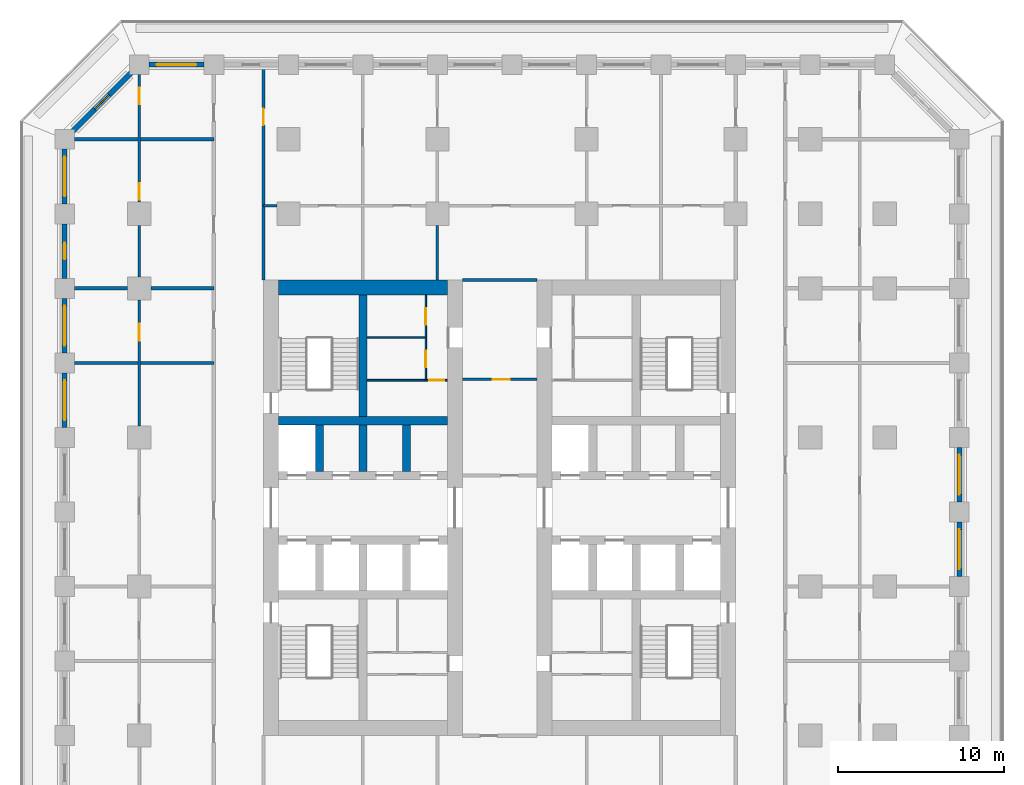
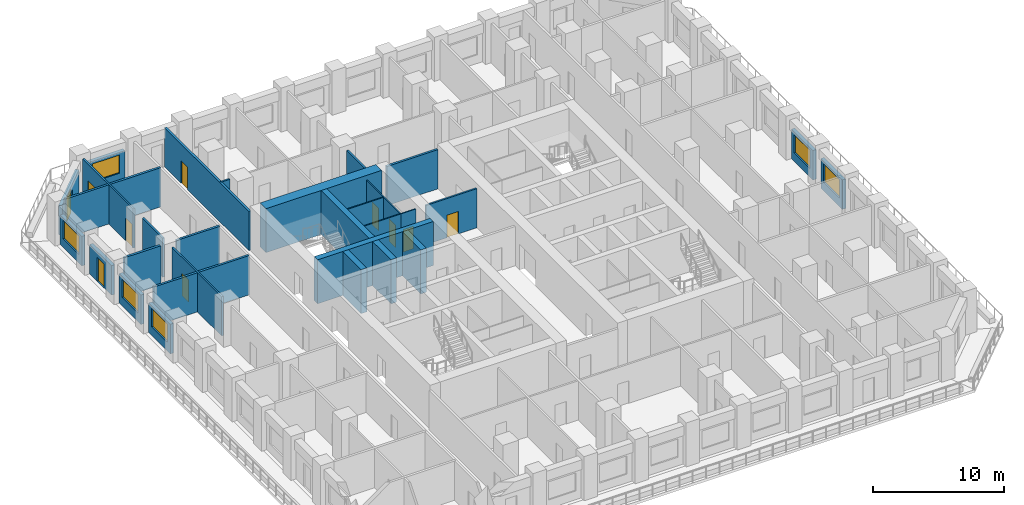
# One storey, part 7 of 18: 31 walls, 10 doors, 6 windows, 16 openings.
"""IFC4 building model written with IfcOpenShell, lengths in metres."""

from ifc_helpers import new_model, si_unit, direction, frame, frame_2d, origin, place, context, subcontext, project, spatial, rectangle, extrude, material, layer, layer_set, type_object, element, fill, save


model = new_model("IFC4")

# Units and contexts
model_context = context("Model", 3, precision=1e-05, world=origin(), true_north=direction((0.0, 1.0)))
body_context = subcontext(model_context, "Body", "Model", "MODEL_VIEW")
ifc_project = project(units=[si_unit("LENGTHUNIT", "METRE"), si_unit("AREAUNIT", "SQUARE_METRE"), si_unit("VOLUMEUNIT", "CUBIC_METRE"), si_unit("PLANEANGLEUNIT", "RADIAN"), si_unit("MASSUNIT", "GRAM", prefix="KILO")], contexts=[model_context])

# Site, building, storey
site_placement = place(None, origin())
site = spatial("IfcSite", under=ifc_project, at=site_placement, CompositionType="ELEMENT")
building_placement = place(site_placement, origin())
building = spatial("IfcBuilding", under=site, at=building_placement, Name="Corbel Stack Research Tower", CompositionType="ELEMENT")
storey_placement = place(building_placement, frame((0.0, 0.0, 102.5)))
storey = spatial("IfcBuildingStorey", under=building, at=storey_placement, Name="L23", CompositionType="ELEMENT", Elevation=102.5)

# Walls
ifc_material_1 = material(Name="Concrete C70/85", Category="concrete")
ifc_layer_1 = layer(ifc_material_1, 0.5)
ifc_layer_set_1 = layer_set([ifc_layer_1], Name="Concrete C70/85")
wall_type_1 = type_object("IfcWallType", Name="CW-500-70", PredefinedType="SHEAR", material=ifc_layer_set_1)
wall_1_placement = place(storey_placement, frame((-9.60009765625, 10.0, 0.0), z_axis=(0.0, 0.0, 1.0), x_axis=(1.0, 0.0, 0.0)))
element("IfcWall", 1, at=wall_1_placement, inside=storey, type_object=wall_type_1, Name="West core wall, north row back L23", PredefinedType="SHEAR", context=body_context, shape_type="SweptSolid", body=[
    extrude(rectangle(XDim=10.2001953125, YDim=0.5, at=frame_2d((5.10009765625, 0.0))), origin(), (0.0, 0.0, 1.0), 4.10009765625),
])
for number, where, z_axis, x_axis, name in (
    (2, (-7.125, 6.949951171875, 0.0), (0.0, 0.0, 1.0), (0.0, 1.0, 0.0), "West core wall, north shaft 1 L23"),
    (3, (-4.5, 6.949951171875, 0.0), (0.0, 0.0, 1.0), (0.0, 1.0, 0.0), "West core wall, north shaft 2 L23"),
    (4, (-1.875, 6.949951171875, 0.0), (0.0, 0.0, 1.0), (0.0, 1.0, 0.0), "West core wall, north shaft 3 L23"),
):
    element("IfcWall", number, at=place(storey_placement, frame(where, z_axis=z_axis, x_axis=x_axis)), inside=storey, type_object=wall_type_1, Name=name, PredefinedType="SHEAR", context=body_context, shape_type="SweptSolid", body=[
        extrude(rectangle(XDim=2.800048828125, YDim=0.5, at=frame_2d((1.39990234375, 0.0))), origin(), (0.0, 0.0, 1.0), 4.10009765625),
    ])
wall_2_placement = place(storey_placement, frame((-4.5, 10.25, 0.0), z_axis=(0.0, 0.0, 1.0), x_axis=(0.0, 1.0, 0.0)))
element("IfcWall", 5, at=wall_2_placement, inside=storey, type_object=wall_type_1, Name="West core wall, north stair and riser L23", PredefinedType="SHEAR", context=body_context, shape_type="SweptSolid", body=[
    extrude(rectangle(XDim=7.35009765625, YDim=0.5, at=frame_2d((3.675048828125, 0.0))), origin(), (0.0, 0.0, 1.0), 4.10009765625),
])
ifc_material_2 = material(Name="Concrete C70/85", Category="concrete")
ifc_layer_2 = layer(ifc_material_2, 0.89990234375)
ifc_layer_set_2 = layer_set([ifc_layer_2], Name="Concrete C70/85")
wall_type_2 = type_object("IfcWallType", Name="CW-900-70", PredefinedType="SHEAR", material=ifc_layer_set_2)
wall_3_placement = place(storey_placement, frame((-9.60009765625, 18.050048828125, 0.0), z_axis=(0.0, 0.0, 1.0), x_axis=(1.0, 0.0, 0.0)))
element("IfcWall", 6, at=wall_3_placement, inside=storey, type_object=wall_type_2, Name="West core wall, north end L23", PredefinedType="SHEAR", context=body_context, shape_type="SweptSolid", body=[
    extrude(rectangle(XDim=10.2001953125, YDim=0.89990234375, at=frame_2d((5.10009765625, 0.0))), origin(), (0.0, 0.0, 1.0), 4.10009765625),
])

# Wall, opening, door
ifc_material_3 = material(Name="Gypsum board")
ifc_layer_3 = layer(ifc_material_3, 0.10009765625)
ifc_layer_set_3 = layer_set([ifc_layer_3], Name="Gypsum board")
wall_type_3 = type_object("IfcWallType", Name="Core partition 100", PredefinedType="PARTITIONING", material=ifc_layer_set_3)
wall_4_placement = place(storey_placement, frame((-0.699951171875, 12.455078125, 0.0), z_axis=(0.0, 0.0, 1.0), x_axis=(1.0, 0.0, 0.0)))
wall_4 = element("IfcWall", 7, at=wall_4_placement, inside=storey, type_object=wall_type_3, Name="Core partition W", PredefinedType="PARTITIONING", context=body_context, shape_type="SweptSolid", body=[
    extrude(rectangle(XDim=1.300048828125, YDim=0.10009765625, at=frame_2d((0.64990234375, 0.0))), origin(), (0.0, 0.0, 1.0), 3.64990234375),
])
opening_1_placement = place(wall_4_placement, frame((0.199951171875, 0.0, 0.0)))
opening_1 = element("IfcOpeningElement", 8, at=opening_1_placement, cuts=wall_4, Name="Opening CR-W24-R1-900", PredefinedType="OPENING", context=body_context, shape_type="SweptSolid", body=[
    extrude(rectangle(XDim=0.89990234375, YDim=2.10009765625, at=frame_2d((0.449951171875, 1.050048828125))), frame((0.0, 0.06005859375, 0.0), z_axis=(0.0, -1.0, 0.0), x_axis=(1.0, 0.0, 0.0)), (0.0, 0.0, 1.0), 0.1201171875),
])
ifc_material_4 = material(Name="Painted steel door", Category="steel")
door_type_1 = type_object("IfcDoorType", Name="Riser door 900 x 2100 FD60 left hand", OperationType="SINGLE_SWING_LEFT", PredefinedType="DOOR", material=ifc_material_4)
door_1_placement = place(opening_1_placement, origin())
door_1 = element("IfcDoor", 9, at=door_1_placement, inside=storey, type_object=door_type_1, Name="Electrical riser door W core", OperationType="SINGLE_SWING_LEFT", OverallHeight=2.10009765625, OverallWidth=0.89990234375, PredefinedType="DOOR", context=body_context, shape_type="SweptSolid", body=[
    extrude(rectangle(XDim=0.89990234375, YDim=2.10009765625, at=frame_2d((0.449951171875, 1.050048828125))), frame((0.0, 0.02490234375, 0.0), z_axis=(0.0, -1.0, 0.0), x_axis=(1.0, 0.0, 0.0)), (0.0, 0.0, 1.0), 0.050048828125),
])
fill(opening_1, door_1)

# Wall
wall_5_placement = place(storey_placement, frame((-4.25, 12.455078125, 0.0), z_axis=(0.0, 0.0, 1.0), x_axis=(1.0, 0.0, 0.0)))
element("IfcWall", 10, at=wall_5_placement, inside=storey, type_object=wall_type_3, Name="Core partition W", PredefinedType="PARTITIONING", context=body_context, shape_type="SweptSolid", body=[
    extrude(rectangle(XDim=3.550048828125, YDim=0.10009765625, at=frame_2d((1.77490234375, 0.0))), origin(), (0.0, 0.0, 1.0), 3.64990234375),
])

# Wall, opening, door
wall_6_placement = place(storey_placement, frame((-0.699951171875, 12.455078125, 0.0), z_axis=(0.0, 0.0, 1.0), x_axis=(0.0, 1.0, 0.0)))
wall_6 = element("IfcWall", 11, at=wall_6_placement, inside=storey, type_object=wall_type_3, Name="Core partition W", PredefinedType="PARTITIONING", context=body_context, shape_type="SweptSolid", body=[
    extrude(rectangle(XDim=2.572509765625, YDim=0.10009765625, at=frame_2d((1.2861328125, 0.0))), origin(), (0.0, 0.0, 1.0), 3.64990234375),
])
opening_2_placement = place(wall_6_placement, frame((0.786376953125, 0.0, 0.0)))
opening_2 = element("IfcOpeningElement", 12, at=opening_2_placement, cuts=wall_6, Name="Opening CR-W24-R3-1000", PredefinedType="OPENING", context=body_context, shape_type="SweptSolid", body=[
    extrude(rectangle(XDim=1.0, YDim=2.10009765625, at=frame_2d((0.5, 1.050048828125))), frame((0.0, 0.06005859375, 0.0), z_axis=(0.0, -1.0, 0.0), x_axis=(1.0, 0.0, 0.0)), (0.0, 0.0, 1.0), 0.1201171875),
])
ifc_material_5 = material(Name="Painted steel door", Category="steel")
door_type_2 = type_object("IfcDoorType", Name="Service door 1000 x 2100 FD30 left hand", OperationType="SINGLE_SWING_LEFT", PredefinedType="DOOR", material=ifc_material_5)
door_2_placement = place(opening_2_placement, origin())
door_2 = element("IfcDoor", 13, at=door_2_placement, inside=storey, type_object=door_type_2, Name="Pantry door W core", OperationType="SINGLE_SWING_LEFT", OverallHeight=2.10009765625, OverallWidth=1.0, PredefinedType="DOOR", context=body_context, shape_type="SweptSolid", body=[
    extrude(rectangle(XDim=1.0, YDim=2.10009765625, at=frame_2d((0.5, 1.050048828125))), frame((0.0, 0.02490234375, 0.0), z_axis=(0.0, -1.0, 0.0), x_axis=(1.0, 0.0, 0.0)), (0.0, 0.0, 1.0), 0.050048828125),
])
fill(opening_2, door_2)

wall_7_placement = place(storey_placement, frame((-0.699951171875, 15.027587890625, 0.0), z_axis=(0.0, 0.0, 1.0), x_axis=(0.0, 1.0, 0.0)))
wall_7 = element("IfcWall", 14, at=wall_7_placement, inside=storey, type_object=wall_type_3, Name="Core partition W", PredefinedType="PARTITIONING", context=body_context, shape_type="SweptSolid", body=[
    extrude(rectangle(XDim=2.572509765625, YDim=0.10009765625, at=frame_2d((1.2861328125, 0.0))), origin(), (0.0, 0.0, 1.0), 3.64990234375),
])
opening_3_placement = place(wall_7_placement, frame((0.7861328125, 0.0, 0.0)))
opening_3 = element("IfcOpeningElement", 15, at=opening_3_placement, cuts=wall_7, Name="Opening CR-W24-R4-1000", PredefinedType="OPENING", context=body_context, shape_type="SweptSolid", body=[
    extrude(rectangle(XDim=1.0, YDim=2.10009765625, at=frame_2d((0.5, 1.050048828125))), frame((0.0, 0.06005859375, 0.0), z_axis=(0.0, -1.0, 0.0), x_axis=(1.0, 0.0, 0.0)), (0.0, 0.0, 1.0), 0.1201171875),
])
ifc_material_6 = material(Name="Painted steel door", Category="steel")
door_type_3 = type_object("IfcDoorType", Name="Service door 1000 x 2100 FD30 right hand", OperationType="SINGLE_SWING_RIGHT", PredefinedType="DOOR", material=ifc_material_6)
door_3_placement = place(opening_3_placement, origin())
door_3 = element("IfcDoor", 16, at=door_3_placement, inside=storey, type_object=door_type_3, Name="Copy and supply store door W core", OperationType="SINGLE_SWING_RIGHT", OverallHeight=2.10009765625, OverallWidth=1.0, PredefinedType="DOOR", context=body_context, shape_type="SweptSolid", body=[
    extrude(rectangle(XDim=1.0, YDim=2.10009765625, at=frame_2d((0.5, 1.050048828125))), frame((0.0, 0.02490234375, 0.0), z_axis=(0.0, -1.0, 0.0), x_axis=(1.0, 0.0, 0.0)), (0.0, 0.0, 1.0), 0.050048828125),
])
fill(opening_3, door_3)

# Wall
wall_8_placement = place(storey_placement, frame((-4.25, 15.027587890625, 0.0), z_axis=(0.0, 0.0, 1.0), x_axis=(1.0, 0.0, 0.0)))
element("IfcWall", 17, at=wall_8_placement, inside=storey, type_object=wall_type_3, Name="Core partition W", PredefinedType="PARTITIONING", context=body_context, shape_type="SweptSolid", body=[
    extrude(rectangle(XDim=3.550048828125, YDim=0.10009765625, at=frame_2d((1.77490234375, 0.0))), origin(), (0.0, 0.0, 1.0), 3.64990234375),
])

# Wall, opening, door
ifc_material_7 = material(Name="Fire-rated gypsum board partition on steel studs", Category="steel")
ifc_layer_4 = layer(ifc_material_7, 0.199951171875)
ifc_layer_set_4 = layer_set([ifc_layer_4], Name="Fire-rated gypsum board partition on steel studs")
wall_type_4 = type_object("IfcWallType", Name="Fire-rated partition 200 EI 60", PredefinedType="PARTITIONING", material=ifc_layer_set_4)
wall_9_placement = place(storey_placement, frame((-10.5, 31.35009765625, 0.0), z_axis=(0.0, 0.0, 1.0), x_axis=(0.0, -1.0, 0.0)))
wall_9 = element("IfcWall", 18, at=wall_9_placement, inside=storey, type_object=wall_type_4, Name="Partition L23-009", PredefinedType="PARTITIONING", context=body_context, shape_type="SweptSolid", body=[
    extrude(rectangle(XDim=12.85009765625, YDim=0.199951171875, at=frame_2d((6.425048828125, 0.0))), origin(), (0.0, 0.0, 1.0), 3.64990234375),
])
opening_4_placement = place(wall_9_placement, frame((2.5, 0.0, 0.0)))
opening_4 = element("IfcOpeningElement", 19, at=opening_4_placement, cuts=wall_9, Name="Opening B3V2-023", PredefinedType="OPENING", context=body_context, shape_type="SweptSolid", body=[
    extrude(rectangle(XDim=1.0, YDim=2.10009765625, at=frame_2d((0.5, 1.050048828125))), frame((0.0, 0.10986328125, 0.0), z_axis=(0.0, -1.0, 0.0), x_axis=(1.0, 0.0, 0.0)), (0.0, 0.0, 1.0), 0.219970703125),
])
ifc_material_8 = material(Name="Painted steel fire door", Category="steel")
door_type_4 = type_object("IfcDoorType", Name="Fire door FD30S 1000 x 2100", OperationType="NOTDEFINED", PredefinedType="DOOR", material=ifc_material_8)
door_4_placement = place(opening_4_placement, origin())
door_4 = element("IfcDoor", 20, at=door_4_placement, inside=storey, type_object=door_type_4, Name="Door B3V2-023", OperationType="SINGLE_SWING_LEFT", OverallHeight=2.10009765625, OverallWidth=1.0, PredefinedType="DOOR", context=body_context, shape_type="SweptSolid", body=[
    extrude(rectangle(XDim=1.0, YDim=2.10009765625, at=frame_2d((0.5, 1.050048828125))), frame((0.0, 0.02490234375, 0.0), z_axis=(0.0, -1.0, 0.0), x_axis=(1.0, 0.0, 0.0)), (0.0, 0.0, 1.0), 0.050048828125),
])
fill(opening_4, door_4)

# Walls
wall_10_placement = place(storey_placement, frame((-21.89990234375, 13.5, 0.0), z_axis=(0.0, 0.0, 1.0), x_axis=(1.0, 0.0, 0.0)))
element("IfcWall", 21, at=wall_10_placement, inside=storey, type_object=wall_type_4, Name="Partition L23-047", PredefinedType="PARTITIONING", context=body_context, shape_type="SweptSolid", body=[
    extrude(rectangle(XDim=8.39990234375, YDim=0.199951171875, at=frame_2d((4.199951171875, 0.0))), origin(), (0.0, 0.0, 1.0), 3.64990234375),
])
wall_11_placement = place(storey_placement, frame((-21.89990234375, 18.0, 0.0), z_axis=(0.0, 0.0, 1.0), x_axis=(1.0, 0.0, 0.0)))
element("IfcWall", 22, at=wall_11_placement, inside=storey, type_object=wall_type_4, Name="Partition L23-049", PredefinedType="PARTITIONING", context=body_context, shape_type="SweptSolid", body=[
    extrude(rectangle(XDim=3.199951171875, YDim=0.199951171875, at=frame_2d((1.60009765625, 0.0))), origin(), (0.0, 0.0, 1.0), 3.64990234375),
])
wall_12_placement = place(storey_placement, frame((-17.300048828125, 18.0, 0.0), z_axis=(0.0, 0.0, 1.0), x_axis=(1.0, 0.0, 0.0)))
element("IfcWall", 23, at=wall_12_placement, inside=storey, type_object=wall_type_4, Name="Partition L23-050", PredefinedType="PARTITIONING", context=body_context, shape_type="SweptSolid", body=[
    extrude(rectangle(XDim=3.800048828125, YDim=0.199951171875, at=frame_2d((1.89990234375, 0.0))), origin(), (0.0, 0.0, 1.0), 3.64990234375),
])
wall_13_placement = place(storey_placement, frame((1.5, 18.5, 0.0), z_axis=(0.0, 0.0, 1.0), x_axis=(1.0, 0.0, 0.0)))
element("IfcWall", 24, at=wall_13_placement, inside=storey, type_object=wall_type_4, Name="Partition L23-054", PredefinedType="PARTITIONING", context=body_context, shape_type="SweptSolid", body=[
    extrude(rectangle(XDim=4.5, YDim=0.199951171875, at=frame_2d((2.25, 0.0))), origin(), (0.0, 0.0, 1.0), 3.64990234375),
])
wall_14_placement = place(storey_placement, frame((-21.89990234375, 27.0, 0.0), z_axis=(0.0, 0.0, 1.0), x_axis=(1.0, 0.0, 0.0)))
element("IfcWall", 25, at=wall_14_placement, inside=storey, type_object=wall_type_4, Name="Partition L23-059", PredefinedType="PARTITIONING", context=body_context, shape_type="SweptSolid", body=[
    extrude(rectangle(XDim=8.39990234375, YDim=0.199951171875, at=frame_2d((4.199951171875, 0.0))), origin(), (0.0, 0.0, 1.0), 3.64990234375),
])

# Wall, opening, door
ifc_material_9 = material(Name="Gypsum board partition on steel studs", Category="steel")
ifc_layer_5 = layer(ifc_material_9, 0.14990234375)
ifc_layer_set_5 = layer_set([ifc_layer_5], Name="Gypsum board partition on steel studs")
wall_type_5 = type_object("IfcWallType", Name="Partition 150", PredefinedType="PARTITIONING", material=ifc_layer_set_5)
wall_15_placement = place(storey_placement, frame((-18.0, 9.699951171875, 0.0), z_axis=(0.0, 0.0, 1.0), x_axis=(0.0, 1.0, 0.0)))
wall_15 = element("IfcWall", 26, at=wall_15_placement, inside=storey, type_object=wall_type_5, Name="Partition L23-004", PredefinedType="PARTITIONING", context=body_context, shape_type="SweptSolid", body=[
    extrude(rectangle(XDim=7.60009765625, YDim=0.14990234375, at=frame_2d((3.800048828125, 0.0))), origin(), (0.0, 0.0, 1.0), 3.64990234375),
])
opening_5_placement = place(wall_15_placement, frame((5.14990234375, 0.0, 0.0)))
opening_5 = element("IfcOpeningElement", 27, at=opening_5_placement, cuts=wall_15, Name="Opening B3V2-006", PredefinedType="OPENING", context=body_context, shape_type="SweptSolid", body=[
    extrude(rectangle(XDim=1.0, YDim=2.10009765625, at=frame_2d((0.5, 1.050048828125))), frame((0.0, 0.0849609375, 0.0), z_axis=(0.0, -1.0, 0.0), x_axis=(1.0, 0.0, 0.0)), (0.0, 0.0, 1.0), 0.169921875),
])
ifc_material_10 = material(Name="Painted timber door", Category="wood")
door_type_5 = type_object("IfcDoorType", Name="Single door 1000 x 2100", OperationType="NOTDEFINED", PredefinedType="DOOR", material=ifc_material_10)
door_5_placement = place(opening_5_placement, origin())
door_5 = element("IfcDoor", 28, at=door_5_placement, inside=storey, type_object=door_type_5, Name="Door B3V2-006", OperationType="SINGLE_SWING_RIGHT", OverallHeight=2.10009765625, OverallWidth=1.0, PredefinedType="DOOR", context=body_context, shape_type="SweptSolid", body=[
    extrude(rectangle(XDim=1.0, YDim=2.10009765625, at=frame_2d((0.5, 1.050048828125))), frame((0.0, 0.02490234375, 0.0), z_axis=(0.0, -1.0, 0.0), x_axis=(1.0, 0.0, 0.0)), (0.0, 0.0, 1.0), 0.050048828125),
])
fill(opening_5, door_5)

# Wall
wall_16_placement = place(storey_placement, frame((-18.0, 18.699951171875, 0.0), z_axis=(0.0, 0.0, 1.0), x_axis=(0.0, 1.0, 0.0)))
element("IfcWall", 29, at=wall_16_placement, inside=storey, type_object=wall_type_5, Name="Partition L23-005", PredefinedType="PARTITIONING", context=body_context, shape_type="SweptSolid", body=[
    extrude(rectangle(XDim=3.10009765625, YDim=0.14990234375, at=frame_2d((1.550048828125, 0.0))), origin(), (0.0, 0.0, 1.0), 3.64990234375),
])

# Wall, openings, doors
wall_17_placement = place(storey_placement, frame((-18.0, 23.199951171875, 0.0), z_axis=(0.0, 0.0, 1.0), x_axis=(0.0, 1.0, 0.0)))
wall_17 = element("IfcWall", 30, at=wall_17_placement, inside=storey, type_object=wall_type_5, Name="Partition L23-006", PredefinedType="PARTITIONING", context=body_context, shape_type="SweptSolid", body=[
    extrude(rectangle(XDim=7.699951171875, YDim=0.14990234375, at=frame_2d((3.85009765625, 0.0))), origin(), (0.0, 0.0, 1.0), 3.64990234375),
])
opening_6_placement = place(wall_17_placement, frame((0.14990234375, 0.0, 0.0)))
opening_6 = element("IfcOpeningElement", 31, at=opening_6_placement, cuts=wall_17, Name="Opening B3V2-007", PredefinedType="OPENING", context=body_context, shape_type="SweptSolid", body=[
    extrude(rectangle(XDim=1.0, YDim=2.10009765625, at=frame_2d((0.5, 1.050048828125))), frame((0.0, 0.0849609375, 0.0), z_axis=(0.0, -1.0, 0.0), x_axis=(1.0, 0.0, 0.0)), (0.0, 0.0, 1.0), 0.169921875),
])
opening_7_placement = place(wall_17_placement, frame((5.89990234375, 0.0, 0.0)))
opening_7 = element("IfcOpeningElement", 32, at=opening_7_placement, cuts=wall_17, Name="Opening B3V2-008", PredefinedType="OPENING", context=body_context, shape_type="SweptSolid", body=[
    extrude(rectangle(XDim=1.0, YDim=2.10009765625, at=frame_2d((0.5, 1.050048828125))), frame((0.0, 0.0849609375, 0.0), z_axis=(0.0, -1.0, 0.0), x_axis=(1.0, 0.0, 0.0)), (0.0, 0.0, 1.0), 0.169921875),
])
door_6_placement = place(opening_6_placement, origin())
door_6 = element("IfcDoor", 33, at=door_6_placement, inside=storey, type_object=door_type_5, Name="Door B3V2-007", OperationType="SINGLE_SWING_LEFT", OverallHeight=2.10009765625, OverallWidth=1.0, PredefinedType="DOOR", context=body_context, shape_type="SweptSolid", body=[
    extrude(rectangle(XDim=1.0, YDim=2.10009765625, at=frame_2d((0.5, 1.050048828125))), frame((0.0, 0.02490234375, 0.0), z_axis=(0.0, -1.0, 0.0), x_axis=(1.0, 0.0, 0.0)), (0.0, 0.0, 1.0), 0.050048828125),
])
fill(opening_6, door_6)
door_7_placement = place(opening_7_placement, origin())
door_7 = element("IfcDoor", 34, at=door_7_placement, inside=storey, type_object=door_type_5, Name="Door B3V2-008", OperationType="SINGLE_SWING_RIGHT", OverallHeight=2.10009765625, OverallWidth=1.0, PredefinedType="DOOR", context=body_context, shape_type="SweptSolid", body=[
    extrude(rectangle(XDim=1.0, YDim=2.10009765625, at=frame_2d((0.5, 1.050048828125))), frame((0.0, 0.02490234375, 0.0), z_axis=(0.0, -1.0, 0.0), x_axis=(1.0, 0.0, 0.0)), (0.0, 0.0, 1.0), 0.050048828125),
])
fill(opening_7, door_7)

# Wall
wall_18_placement = place(storey_placement, frame((0.0, 18.5, 0.0), z_axis=(0.0, 0.0, 1.0), x_axis=(0.0, 1.0, 0.0)))
element("IfcWall", 35, at=wall_18_placement, inside=storey, type_object=wall_type_5, Name="Partition L23-012", PredefinedType="PARTITIONING", context=body_context, shape_type="SweptSolid", body=[
    extrude(rectangle(XDim=3.300048828125, YDim=0.14990234375, at=frame_2d((1.64990234375, 0.0))), origin(), (0.0, 0.0, 1.0), 3.64990234375),
])

# Wall, opening, door
wall_19_placement = place(storey_placement, frame((1.5, 12.5, 0.0), z_axis=(0.0, 0.0, 1.0), x_axis=(1.0, 0.0, 0.0)))
wall_19 = element("IfcWall", 36, at=wall_19_placement, inside=storey, type_object=wall_type_5, Name="Partition L23-046", PredefinedType="PARTITIONING", context=body_context, shape_type="SweptSolid", body=[
    extrude(rectangle(XDim=4.5, YDim=0.14990234375, at=frame_2d((2.25, 0.0))), origin(), (0.0, 0.0, 1.0), 3.64990234375),
])
opening_8_placement = place(wall_19_placement, frame((1.85009765625, 0.0, 0.0)))
opening_8 = element("IfcOpeningElement", 37, at=opening_8_placement, cuts=wall_19, Name="Opening B3V2-031", PredefinedType="OPENING", context=body_context, shape_type="SweptSolid", body=[
    extrude(rectangle(XDim=1.0, YDim=2.10009765625, at=frame_2d((0.5, 1.050048828125))), frame((0.0, 0.0849609375, 0.0), z_axis=(0.0, -1.0, 0.0), x_axis=(1.0, 0.0, 0.0)), (0.0, 0.0, 1.0), 0.169921875),
])
door_8_placement = place(opening_8_placement, origin())
door_8 = element("IfcDoor", 38, at=door_8_placement, inside=storey, type_object=door_type_5, Name="Door B3V2-031", OperationType="SINGLE_SWING_RIGHT", OverallHeight=2.10009765625, OverallWidth=1.0, PredefinedType="DOOR", context=body_context, shape_type="SweptSolid", body=[
    extrude(rectangle(XDim=1.0, YDim=2.10009765625, at=frame_2d((0.5, 1.050048828125))), frame((0.0, 0.02490234375, 0.0), z_axis=(0.0, -1.0, 0.0), x_axis=(1.0, 0.0, 0.0)), (0.0, 0.0, 1.0), 0.050048828125),
])
fill(opening_8, door_8)

# Wall
wall_20_placement = place(storey_placement, frame((-10.5, 23.0, 0.0), z_axis=(0.0, 0.0, 1.0), x_axis=(1.0, 0.0, 0.0)))
element("IfcWall", 39, at=wall_20_placement, inside=storey, type_object=wall_type_5, Name="Partition L23-055", PredefinedType="PARTITIONING", context=body_context, shape_type="SweptSolid", body=[
    extrude(rectangle(XDim=0.800048828125, YDim=0.14990234375, at=frame_2d((0.39990234375, 0.0))), origin(), (0.0, 0.0, 1.0), 3.64990234375),
])

# Wall, opening, window
ifc_material_11 = material(Name="Concrete C45/55", Category="concrete")
ifc_layer_6 = layer(ifc_material_11, 0.300048828125)
ifc_layer_set_6 = layer_set([ifc_layer_6], Name="Concrete C45/55")
wall_type_6 = type_object("IfcWallType", Name="Terracotta-faced concrete wall 300", PredefinedType="SOLIDWALL", material=ifc_layer_set_6)
wall_21_placement = place(storey_placement, frame((31.5, 3.89990234375, 0.0), z_axis=(0.0, 0.0, 1.0), x_axis=(0.0, -1.0, 0.0)))
wall_21 = element("IfcWall", 40, at=wall_21_placement, inside=storey, type_object=wall_type_6, Name="Facade wall L23 E05", PredefinedType="SOLIDWALL", context=body_context, shape_type="SweptSolid", body=[
    extrude(rectangle(XDim=3.2998046875, YDim=0.300048828125, at=frame_2d((1.64990234375, 0.0))), origin(), (0.0, 0.0, 1.0), 2.75),
])
opening_9_placement = place(wall_21_placement, frame((0.449951171875, 0.0, 0.800048828125)))
opening_9 = element("IfcOpeningElement", 41, at=opening_9_placement, cuts=wall_21, Name="Opening W1", PredefinedType="OPENING", context=body_context, shape_type="SweptSolid", body=[
    extrude(rectangle(XDim=2.39990234375, YDim=1.699951171875, at=frame_2d((1.199951171875, 0.85009765625))), frame((0.0, 0.159912109375, 0.0), z_axis=(0.0, -1.0, 0.0), x_axis=(1.0, 0.0, 0.0)), (0.0, 0.0, 1.0), 0.320068359375),
])
ifc_material_12 = material(Name="Aluminium frame, clear double glazing", Category="aluminium")
window_type = type_object("IfcWindowType", Name="Window W1 2400 x 1700", PartitioningType="SINGLE_PANEL", PredefinedType="WINDOW", material=ifc_material_12)
window_1_placement = place(opening_9_placement, origin())
window_1 = element("IfcWindow", 42, at=window_1_placement, inside=storey, type_object=window_type, Name="Window W1 L23 E05", OverallHeight=1.699951171875, OverallWidth=2.39990234375, PartitioningType="SINGLE_PANEL", PredefinedType="WINDOW", context=body_context, shape_type="SweptSolid", body=[
    extrude(rectangle(XDim=2.39990234375, YDim=1.699951171875, at=frame_2d((1.199951171875, 0.85009765625))), frame((0.0, 0.030029296875, 0.0), z_axis=(0.0, -1.0, 0.0), x_axis=(1.0, 0.0, 0.0)), (0.0, 0.0, 1.0), 0.06005859375),
])
fill(opening_9, window_1)

wall_22_placement = place(storey_placement, frame((31.5, 8.39990234375, 0.0), z_axis=(0.0, 0.0, 1.0), x_axis=(0.0, -1.0, 0.0)))
wall_22 = element("IfcWall", 43, at=wall_22_placement, inside=storey, type_object=wall_type_6, Name="Facade wall L23 E06", PredefinedType="SOLIDWALL", context=body_context, shape_type="SweptSolid", body=[
    extrude(rectangle(XDim=3.2998046875, YDim=0.300048828125, at=frame_2d((1.64990234375, 0.0))), origin(), (0.0, 0.0, 1.0), 2.75),
])
opening_10_placement = place(wall_22_placement, frame((0.449951171875, 0.0, 0.800048828125)))
opening_10 = element("IfcOpeningElement", 44, at=opening_10_placement, cuts=wall_22, Name="Opening W1", PredefinedType="OPENING", context=body_context, shape_type="SweptSolid", body=[
    extrude(rectangle(XDim=2.39990234375, YDim=1.699951171875, at=frame_2d((1.199951171875, 0.85009765625))), frame((0.0, 0.159912109375, 0.0), z_axis=(0.0, -1.0, 0.0), x_axis=(1.0, 0.0, 0.0)), (0.0, 0.0, 1.0), 0.320068359375),
])
window_2_placement = place(opening_10_placement, origin())
window_2 = element("IfcWindow", 45, at=window_2_placement, inside=storey, type_object=window_type, Name="Window W1 L23 E06", OverallHeight=1.699951171875, OverallWidth=2.39990234375, PartitioningType="SINGLE_PANEL", PredefinedType="WINDOW", context=body_context, shape_type="SweptSolid", body=[
    extrude(rectangle(XDim=2.39990234375, YDim=1.699951171875, at=frame_2d((1.199951171875, 0.85009765625))), frame((0.0, 0.030029296875, 0.0), z_axis=(0.0, -1.0, 0.0), x_axis=(1.0, 0.0, 0.0)), (0.0, 0.0, 1.0), 0.06005859375),
])
fill(opening_10, window_2)

wall_23_placement = place(storey_placement, frame((-17.39990234375, 31.5, 0.0), z_axis=(0.0, 0.0, 1.0), x_axis=(1.0, 0.0, 0.0)))
wall_23 = element("IfcWall", 46, at=wall_23_placement, inside=storey, type_object=wall_type_6, Name="Facade wall L23 N10", PredefinedType="SOLIDWALL", context=body_context, shape_type="SweptSolid", body=[
    extrude(rectangle(XDim=3.2998046875, YDim=0.300048828125, at=frame_2d((1.64990234375, 0.0))), origin(), (0.0, 0.0, 1.0), 2.75),
])
opening_11_placement = place(wall_23_placement, frame((0.449951171875, 0.0, 0.800048828125)))
opening_11 = element("IfcOpeningElement", 47, at=opening_11_placement, cuts=wall_23, Name="Opening W1", PredefinedType="OPENING", context=body_context, shape_type="SweptSolid", body=[
    extrude(rectangle(XDim=2.39990234375, YDim=1.699951171875, at=frame_2d((1.199951171875, 0.85009765625))), frame((0.0, 0.159912109375, 0.0), z_axis=(0.0, -1.0, 0.0), x_axis=(1.0, 0.0, 0.0)), (0.0, 0.0, 1.0), 0.320068359375),
])
window_3_placement = place(opening_11_placement, origin())
window_3 = element("IfcWindow", 48, at=window_3_placement, inside=storey, type_object=window_type, Name="Window W1 L23 N10", OverallHeight=1.699951171875, OverallWidth=2.39990234375, PartitioningType="SINGLE_PANEL", PredefinedType="WINDOW", context=body_context, shape_type="SweptSolid", body=[
    extrude(rectangle(XDim=2.39990234375, YDim=1.699951171875, at=frame_2d((1.199951171875, 0.85009765625))), frame((0.0, 0.030029296875, 0.0), z_axis=(0.0, -1.0, 0.0), x_axis=(1.0, 0.0, 0.0)), (0.0, 0.0, 1.0), 0.06005859375),
])
fill(opening_11, window_3)

# Wall, opening, door
wall_24_placement = place(storey_placement, frame((-22.006103515625, 27.493896484375, 0.0), z_axis=(0.0, 0.0, 1.0), x_axis=(0.707106781187, 0.707106781187, 0.0)))
wall_24 = element("IfcWall", 49, at=wall_24_placement, inside=storey, type_object=wall_type_6, Name="Facade wall L23 NW01", PredefinedType="SOLIDWALL", context=body_context, shape_type="SweptSolid", body=[
    extrude(rectangle(XDim=4.967041015625, YDim=0.300048828125, at=frame_2d((2.4833984375, 0.0))), origin(), (0.0, 0.0, 1.0), 2.75),
])
opening_12_placement = place(wall_24_placement, frame((1.883544921875, 0.0, 0.0)))
opening_12 = element("IfcOpeningElement", 50, at=opening_12_placement, cuts=wall_24, Name="Opening L23-B09", PredefinedType="OPENING", context=body_context, shape_type="SweptSolid", body=[
    extrude(rectangle(XDim=1.199951171875, YDim=2.199951171875, at=frame_2d((0.60009765625, 1.10009765625))), frame((0.0, 0.159912109375, 0.0), z_axis=(0.0, -1.0, 0.0), x_axis=(1.0, 0.0, 0.0)), (0.0, 0.0, 1.0), 0.320068359375),
])
ifc_material_13 = material(Name="Aluminium frame, clear double glazing", Category="aluminium")
door_type_6 = type_object("IfcDoorType", Name="Balcony door BD2 1200 x 2200", OperationType="NOTDEFINED", PredefinedType="DOOR", material=ifc_material_13)
door_9_placement = place(opening_12_placement, origin())
door_9 = element("IfcDoor", 51, at=door_9_placement, inside=storey, type_object=door_type_6, Name="Balcony door L23-B09", OperationType="SINGLE_SWING_RIGHT", OverallHeight=2.199951171875, OverallWidth=1.199951171875, PredefinedType="DOOR", context=body_context, shape_type="SweptSolid", body=[
    extrude(rectangle(XDim=1.199951171875, YDim=2.199951171875, at=frame_2d((0.60009765625, 1.10009765625))), frame((0.0, 0.02490234375, 0.0), z_axis=(0.0, -1.0, 0.0), x_axis=(1.0, 0.0, 0.0)), (0.0, 0.0, 1.0), 0.050048828125),
])
fill(opening_12, door_9)

# Wall, opening, window
wall_25_placement = place(storey_placement, frame((-22.5, 23.10009765625, 0.0), z_axis=(0.0, 0.0, 1.0), x_axis=(0.0, 1.0, 0.0)))
wall_25 = element("IfcWall", 52, at=wall_25_placement, inside=storey, type_object=wall_type_6, Name="Facade wall L23 W01", PredefinedType="SOLIDWALL", context=body_context, shape_type="SweptSolid", body=[
    extrude(rectangle(XDim=3.2998046875, YDim=0.300048828125, at=frame_2d((1.64990234375, 0.0))), origin(), (0.0, 0.0, 1.0), 2.75),
])
opening_13_placement = place(wall_25_placement, frame((0.449951171875, 0.0, 0.800048828125)))
opening_13 = element("IfcOpeningElement", 53, at=opening_13_placement, cuts=wall_25, Name="Opening W1", PredefinedType="OPENING", context=body_context, shape_type="SweptSolid", body=[
    extrude(rectangle(XDim=2.39990234375, YDim=1.699951171875, at=frame_2d((1.199951171875, 0.85009765625))), frame((0.0, 0.159912109375, 0.0), z_axis=(0.0, -1.0, 0.0), x_axis=(1.0, 0.0, 0.0)), (0.0, 0.0, 1.0), 0.320068359375),
])
window_4_placement = place(opening_13_placement, origin())
window_4 = element("IfcWindow", 54, at=window_4_placement, inside=storey, type_object=window_type, Name="Window W1 L23 W01", OverallHeight=1.699951171875, OverallWidth=2.39990234375, PartitioningType="SINGLE_PANEL", PredefinedType="WINDOW", context=body_context, shape_type="SweptSolid", body=[
    extrude(rectangle(XDim=2.39990234375, YDim=1.699951171875, at=frame_2d((1.199951171875, 0.85009765625))), frame((0.0, 0.030029296875, 0.0), z_axis=(0.0, -1.0, 0.0), x_axis=(1.0, 0.0, 0.0)), (0.0, 0.0, 1.0), 0.06005859375),
])
fill(opening_13, window_4)

# Wall, opening, door
wall_26_placement = place(storey_placement, frame((-22.5, 18.60009765625, 0.0), z_axis=(0.0, 0.0, 1.0), x_axis=(0.0, 1.0, 0.0)))
wall_26 = element("IfcWall", 55, at=wall_26_placement, inside=storey, type_object=wall_type_6, Name="Facade wall L23 W02", PredefinedType="SOLIDWALL", context=body_context, shape_type="SweptSolid", body=[
    extrude(rectangle(XDim=3.2998046875, YDim=0.300048828125, at=frame_2d((1.64990234375, 0.0))), origin(), (0.0, 0.0, 1.0), 2.75),
])
opening_14_placement = place(wall_26_placement, frame((1.14990234375, 0.0, 0.0)))
opening_14 = element("IfcOpeningElement", 56, at=opening_14_placement, cuts=wall_26, Name="Opening L23-B10", PredefinedType="OPENING", context=body_context, shape_type="SweptSolid", body=[
    extrude(rectangle(XDim=1.0, YDim=2.199951171875, at=frame_2d((0.5, 1.10009765625))), frame((0.0, 0.159912109375, 0.0), z_axis=(0.0, -1.0, 0.0), x_axis=(1.0, 0.0, 0.0)), (0.0, 0.0, 1.0), 0.320068359375),
])
ifc_material_14 = material(Name="Aluminium frame, clear double glazing", Category="aluminium")
door_type_7 = type_object("IfcDoorType", Name="Balcony door BD1 1000 x 2200", OperationType="NOTDEFINED", PredefinedType="DOOR", material=ifc_material_14)
door_10_placement = place(opening_14_placement, origin())
door_10 = element("IfcDoor", 57, at=door_10_placement, inside=storey, type_object=door_type_7, Name="Balcony door L23-B10", OperationType="SINGLE_SWING_LEFT", OverallHeight=2.199951171875, OverallWidth=1.0, PredefinedType="DOOR", context=body_context, shape_type="SweptSolid", body=[
    extrude(rectangle(XDim=1.0, YDim=2.199951171875, at=frame_2d((0.5, 1.10009765625))), frame((0.0, 0.02490234375, 0.0), z_axis=(0.0, -1.0, 0.0), x_axis=(1.0, 0.0, 0.0)), (0.0, 0.0, 1.0), 0.050048828125),
])
fill(opening_14, door_10)

# Wall, opening, window
wall_27_placement = place(storey_placement, frame((-22.5, 14.10009765625, 0.0), z_axis=(0.0, 0.0, 1.0), x_axis=(0.0, 1.0, 0.0)))
wall_27 = element("IfcWall", 58, at=wall_27_placement, inside=storey, type_object=wall_type_6, Name="Facade wall L23 W03", PredefinedType="SOLIDWALL", context=body_context, shape_type="SweptSolid", body=[
    extrude(rectangle(XDim=3.2998046875, YDim=0.300048828125, at=frame_2d((1.64990234375, 0.0))), origin(), (0.0, 0.0, 1.0), 2.75),
])
opening_15_placement = place(wall_27_placement, frame((0.449951171875, 0.0, 0.800048828125)))
opening_15 = element("IfcOpeningElement", 59, at=opening_15_placement, cuts=wall_27, Name="Opening W1", PredefinedType="OPENING", context=body_context, shape_type="SweptSolid", body=[
    extrude(rectangle(XDim=2.39990234375, YDim=1.699951171875, at=frame_2d((1.199951171875, 0.85009765625))), frame((0.0, 0.159912109375, 0.0), z_axis=(0.0, -1.0, 0.0), x_axis=(1.0, 0.0, 0.0)), (0.0, 0.0, 1.0), 0.320068359375),
])
window_5_placement = place(opening_15_placement, origin())
window_5 = element("IfcWindow", 60, at=window_5_placement, inside=storey, type_object=window_type, Name="Window W1 L23 W03", OverallHeight=1.699951171875, OverallWidth=2.39990234375, PartitioningType="SINGLE_PANEL", PredefinedType="WINDOW", context=body_context, shape_type="SweptSolid", body=[
    extrude(rectangle(XDim=2.39990234375, YDim=1.699951171875, at=frame_2d((1.199951171875, 0.85009765625))), frame((0.0, 0.030029296875, 0.0), z_axis=(0.0, -1.0, 0.0), x_axis=(1.0, 0.0, 0.0)), (0.0, 0.0, 1.0), 0.06005859375),
])
fill(opening_15, window_5)

wall_28_placement = place(storey_placement, frame((-22.5, 9.60009765625, 0.0), z_axis=(0.0, 0.0, 1.0), x_axis=(0.0, 1.0, 0.0)))
wall_28 = element("IfcWall", 61, at=wall_28_placement, inside=storey, type_object=wall_type_6, Name="Facade wall L23 W04", PredefinedType="SOLIDWALL", context=body_context, shape_type="SweptSolid", body=[
    extrude(rectangle(XDim=3.2998046875, YDim=0.300048828125, at=frame_2d((1.64990234375, 0.0))), origin(), (0.0, 0.0, 1.0), 2.75),
])
opening_16_placement = place(wall_28_placement, frame((0.449951171875, 0.0, 0.800048828125)))
opening_16 = element("IfcOpeningElement", 62, at=opening_16_placement, cuts=wall_28, Name="Opening W1", PredefinedType="OPENING", context=body_context, shape_type="SweptSolid", body=[
    extrude(rectangle(XDim=2.39990234375, YDim=1.699951171875, at=frame_2d((1.199951171875, 0.85009765625))), frame((0.0, 0.159912109375, 0.0), z_axis=(0.0, -1.0, 0.0), x_axis=(1.0, 0.0, 0.0)), (0.0, 0.0, 1.0), 0.320068359375),
])
window_6_placement = place(opening_16_placement, origin())
window_6 = element("IfcWindow", 63, at=window_6_placement, inside=storey, type_object=window_type, Name="Window W1 L23 W04", OverallHeight=1.699951171875, OverallWidth=2.39990234375, PartitioningType="SINGLE_PANEL", PredefinedType="WINDOW", context=body_context, shape_type="SweptSolid", body=[
    extrude(rectangle(XDim=2.39990234375, YDim=1.699951171875, at=frame_2d((1.199951171875, 0.85009765625))), frame((0.0, 0.030029296875, 0.0), z_axis=(0.0, -1.0, 0.0), x_axis=(1.0, 0.0, 0.0)), (0.0, 0.0, 1.0), 0.06005859375),
])
fill(opening_16, window_6)

save(model, "model.ifc")
